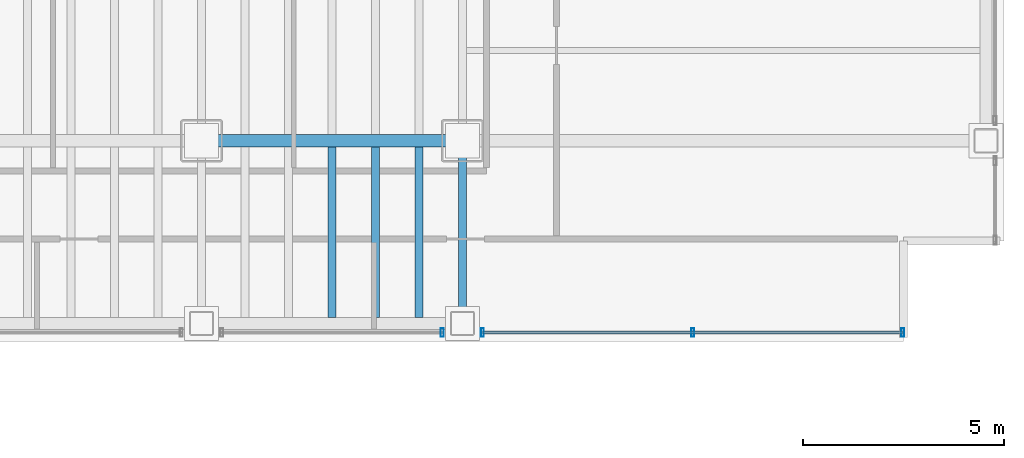
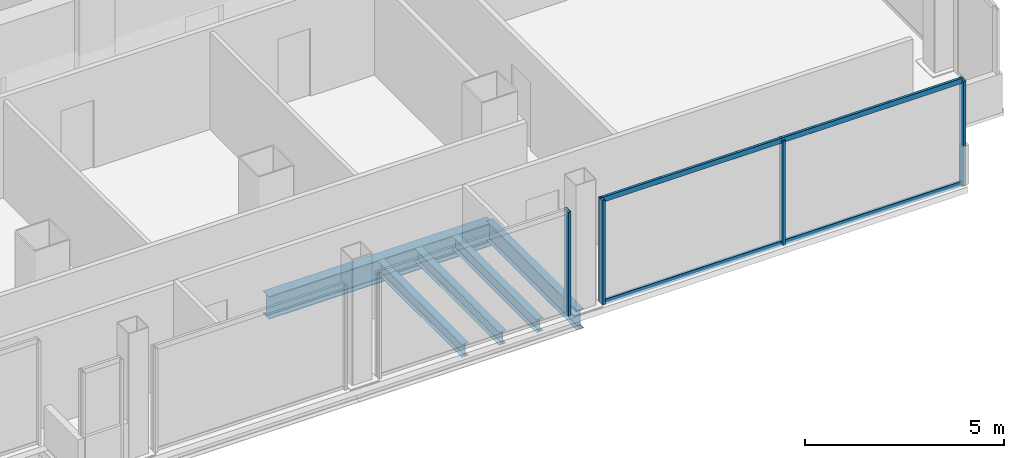
# One storey, part 8 of 20: 6 members, 5 beams, 2 elements without a shape of their own.
"""IFC4 building model written with IfcOpenShell, lengths in metres."""

from ifc_helpers import new_model, si_unit, direction, frame, origin, origin_2d, place, context, subcontext, project, spatial, hollow_rectangle, i_section, extrude, material, material_profile, profile_set, type_object, element, aggregate, save


model = new_model("IFC4")

# Units and contexts
model_context = context("Model", 3, precision=1e-05, world=origin(), true_north=direction((0.0, 1.0)))
body_context = subcontext(model_context, "Body", "Model", "MODEL_VIEW")
ifc_project = project(units=[si_unit("LENGTHUNIT", "METRE"), si_unit("AREAUNIT", "SQUARE_METRE"), si_unit("VOLUMEUNIT", "CUBIC_METRE"), si_unit("PLANEANGLEUNIT", "RADIAN"), si_unit("MASSUNIT", "GRAM", prefix="KILO")], contexts=[model_context])

# Site, building, storey
site_placement = place(None, origin())
site = spatial("IfcSite", under=ifc_project, at=site_placement, CompositionType="ELEMENT")
building_placement = place(site_placement, origin())
building = spatial("IfcBuilding", under=site, at=building_placement, Name="Noeulbin Bourse Tower", CompositionType="ELEMENT")
storey_placement = place(building_placement, frame((0.0, 0.0, 57.699951171875)))
storey = spatial("IfcBuildingStorey", under=building, at=storey_placement, Name="L14", CompositionType="ELEMENT", Elevation=57.699951171875)

# Beams
ifc_material_1 = material(Name="Steel S355", Category="steel")
ifc_material_profile_1 = material_profile(ifc_material_1, i_section(OverallWidth=0.199951171875, OverallDepth=0.60009765625, WebThickness=0.010986328125, FlangeThickness=0.01708984375, FilletRadius=0.02197265625, at=origin_2d()), Name="H-600x200x11x17", Category="LoadBearing")
ifc_profile_set_1 = profile_set([ifc_material_profile_1], Name="Steel S355")
beam_type_1 = type_object("IfcBeamType", Name="BM-GRD-600", PredefinedType="USERDEFINED", material=ifc_profile_set_1)
beam_1_placement = place(storey_placement, frame((44.0, 15.449951171875, -0.47998046875), z_axis=(0.0, 1.0, 0.0), x_axis=(-1.0, 0.0, 0.0)))
element("IfcBeam", 1, at=beam_1_placement, inside=storey, type_object=beam_type_1, Name="Tower Primary Girder NS L14-5.1", ObjectType="GIRDER", PredefinedType="USERDEFINED", context=body_context, shape_type="SweptSolid", body=[
    extrude(i_section(OverallWidth=0.199951171875, OverallDepth=0.60009765625, WebThickness=0.010986328125, FlangeThickness=0.01708984375, FilletRadius=0.02197265625, at=origin_2d()), origin(), (0.0, 0.0, 1.0), 4.550048828125),
])
ifc_material_profile_2 = material_profile(ifc_material_1, i_section(OverallWidth=0.300048828125, OverallDepth=0.699951171875, WebThickness=0.012939453125, FlangeThickness=0.02392578125, FilletRadius=0.02392578125, at=origin_2d()), Name="H-700x300x13x24", Category="LoadBearing")
ifc_profile_set_2 = profile_set([ifc_material_profile_2], Name="Steel S355")
beam_type_2 = type_object("IfcBeamType", Name="BM-GRD-700", PredefinedType="USERDEFINED", material=ifc_profile_set_2)
beam_2_placement = place(storey_placement, frame((37.5, 20.0, -0.530029296875), z_axis=(1.0, 0.0, 0.0), x_axis=(0.0, 1.0, 0.0)))
element("IfcBeam", 2, at=beam_2_placement, inside=storey, type_object=beam_type_2, Name="Tower Primary Girder EW L14-1.5", ObjectType="GIRDER", PredefinedType="USERDEFINED", context=body_context, shape_type="SweptSolid", body=[
    extrude(i_section(OverallWidth=0.300048828125, OverallDepth=0.699951171875, WebThickness=0.012939453125, FlangeThickness=0.02392578125, FilletRadius=0.02392578125, at=origin_2d()), origin(), (0.0, 0.0, 1.0), 6.5),
])
ifc_material_profile_3 = material_profile(ifc_material_1, i_section(OverallWidth=0.199951171875, OverallDepth=0.39990234375, WebThickness=0.008056640625, FlangeThickness=0.012939453125, FilletRadius=0.01611328125, at=origin_2d()), Name="H-400x200x8x13", Category="LoadBearing")
ifc_profile_set_3 = profile_set([ifc_material_profile_3], Name="Steel S355")
beam_type_3 = type_object("IfcBeamType", Name="BM-SEC-400", PredefinedType="BEAM", material=ifc_profile_set_3)
for number, where, z_axis, x_axis, name in (
    (3, (40.75, 15.60009765625, -0.3798828125), (0.0, 1.0, 0.0), (-1.0, 0.0, 0.0), "Tower Composite Joist L14-61"),
    (4, (41.833251953125, 15.60009765625, -0.3798828125), (0.0, 1.0, 0.0), (-1.0, 0.0, 0.0), "Tower Composite Joist L14-64"),
    (5, (42.916748046875, 15.60009765625, -0.3798828125), (0.0, 1.0, 0.0), (-1.0, 0.0, 0.0), "Tower Composite Joist L14-67"),
):
    element("IfcBeam", number, at=place(storey_placement, frame(where, z_axis=z_axis, x_axis=x_axis)), inside=storey, type_object=beam_type_3, Name=name, PredefinedType="BEAM", context=body_context, shape_type="SweptSolid", body=[
        extrude(i_section(OverallWidth=0.199951171875, OverallDepth=0.39990234375, WebThickness=0.008056640625, FlangeThickness=0.012939453125, FilletRadius=0.01611328125, at=origin_2d()), origin(), (0.0, 0.0, 1.0), 4.25),
    ])

# Curtain wall, member
ifc_material_2 = material(Name="Dark Solar-Control Double Glazing", Category="glass")
curtain_wall_type = type_object("IfcCurtainWallType", Name="CW-SYS-2", PredefinedType="NOTDEFINED", material=ifc_material_2)
curtain_wall_1_placement = place(storey_placement, origin())
curtain_wall_1 = element("IfcCurtainWall", 6, at=curtain_wall_1_placement, inside=storey, type_object=curtain_wall_type, Name="Unitised Curtain Wall CW-L14-S3-S3", PredefinedType="NOTDEFINED")
ifc_material_3 = material(Name="Anodised Aluminium 6063-T6", Category="aluminium")
ifc_material_profile_4 = material_profile(ifc_material_3, hollow_rectangle(XDim=0.074951171875, YDim=0.219970703125, WallThickness=0.0048828125, InnerFilletRadius=0.00244140625, OuterFilletRadius=0.0048828125, at=origin_2d()), Name="ALU-MULL-75x220x5", Category="LoadBearing")
ifc_profile_set_4 = profile_set([ifc_material_profile_4], Name="Anodised Aluminium 6063-T6")
member_type_1 = type_object("IfcMemberType", Name="CW-SYS-2-MUL", PredefinedType="MULLION", material=ifc_profile_set_4)
member_1_placement = place(storey_placement, frame((43.5, 15.219970703125, -0.02001953125), z_axis=(0.0, 0.0, 1.0), x_axis=(1.0, 0.0, 0.0)))
member_1 = element("IfcMember", 7, at=member_1_placement, type_object=member_type_1, Name="Curtain Wall Mullion CW-L14-S3-S3-M01", PredefinedType="MULLION", context=body_context, shape_type="SweptSolid", body=[
    extrude(hollow_rectangle(XDim=0.074951171875, YDim=0.219970703125, WallThickness=0.0048828125, InnerFilletRadius=0.00244140625, OuterFilletRadius=0.0048828125, at=origin_2d()), origin(), (0.0, 0.0, 1.0), 3.219970703125),
])
aggregate(curtain_wall_1, [member_1])

# Curtain wall, members
curtain_wall_2_placement = place(storey_placement, origin())
curtain_wall_2 = element("IfcCurtainWall", 8, at=curtain_wall_2_placement, inside=storey, type_object=curtain_wall_type, Name="Unitised Curtain Wall CW-L14-S3-S4", PredefinedType="NOTDEFINED")
member_2_placement = place(storey_placement, frame((44.5, 15.219970703125, -0.02001953125), z_axis=(0.0, 0.0, 1.0), x_axis=(1.0, 0.0, 0.0)))
member_2 = element("IfcMember", 9, at=member_2_placement, type_object=member_type_1, Name="Curtain Wall Mullion CW-L14-S3-S4-M00", PredefinedType="MULLION", context=body_context, shape_type="SweptSolid", body=[
    extrude(hollow_rectangle(XDim=0.074951171875, YDim=0.219970703125, WallThickness=0.0048828125, InnerFilletRadius=0.00244140625, OuterFilletRadius=0.0048828125, at=origin_2d()), origin(), (0.0, 0.0, 1.0), 3.219970703125),
])
member_3_placement = place(storey_placement, frame((49.739990234375, 15.219970703125, -0.02001953125), z_axis=(0.0, 0.0, 1.0), x_axis=(1.0, 0.0, 0.0)))
member_3 = element("IfcMember", 10, at=member_3_placement, type_object=member_type_1, Name="Curtain Wall Mullion CW-L14-S3-S4-M01", PredefinedType="MULLION", context=body_context, shape_type="SweptSolid", body=[
    extrude(hollow_rectangle(XDim=0.074951171875, YDim=0.219970703125, WallThickness=0.0048828125, InnerFilletRadius=0.00244140625, OuterFilletRadius=0.0048828125, at=origin_2d()), origin(), (0.0, 0.0, 1.0), 3.219970703125),
])
member_4_placement = place(storey_placement, frame((54.97998046875, 15.219970703125, -0.02001953125), z_axis=(0.0, 0.0, 1.0), x_axis=(1.0, 0.0, 0.0)))
member_4 = element("IfcMember", 11, at=member_4_placement, type_object=member_type_1, Name="Curtain Wall Mullion CW-L14-S3-S4-M02", PredefinedType="MULLION", context=body_context, shape_type="SweptSolid", body=[
    extrude(hollow_rectangle(XDim=0.074951171875, YDim=0.219970703125, WallThickness=0.0048828125, InnerFilletRadius=0.00244140625, OuterFilletRadius=0.0048828125, at=origin_2d()), origin(), (0.0, 0.0, 1.0), 3.219970703125),
])
ifc_material_profile_5 = material_profile(ifc_material_3, hollow_rectangle(XDim=0.074951171875, YDim=0.159912109375, WallThickness=0.0048828125, InnerFilletRadius=0.00244140625, OuterFilletRadius=0.0048828125, at=origin_2d()), Name="ALU-TRAN-75x160x5", Category="LoadBearing")
ifc_profile_set_5 = profile_set([ifc_material_profile_5], Name="Anodised Aluminium 6063-T6")
member_type_2 = type_object("IfcMemberType", Name="CW-SYS-2-TRN", PredefinedType="USERDEFINED", material=ifc_profile_set_5)
member_5_placement = place(storey_placement, frame((44.510009765625, 15.219970703125, 0.010009765625), z_axis=(1.0, 0.0, 0.0), x_axis=(0.0, 1.0, 0.0)))
member_5 = element("IfcMember", 12, at=member_5_placement, type_object=member_type_2, Name="Curtain Wall Transom CW-L14-S3-S4-T00", ObjectType="TRANSOM", PredefinedType="USERDEFINED", context=body_context, shape_type="SweptSolid", body=[
    extrude(hollow_rectangle(XDim=0.074951171875, YDim=0.159912109375, WallThickness=0.0048828125, InnerFilletRadius=0.00244140625, OuterFilletRadius=0.0048828125, at=origin_2d()), origin(), (0.0, 0.0, 1.0), 10.4599609375),
])
member_6_placement = place(storey_placement, frame((44.510009765625, 15.219970703125, 3.170166015625), z_axis=(1.0, 0.0, 0.0), x_axis=(0.0, 1.0, 0.0)))
member_6 = element("IfcMember", 13, at=member_6_placement, type_object=member_type_2, Name="Curtain Wall Transom CW-L14-S3-S4-T01", ObjectType="TRANSOM", PredefinedType="USERDEFINED", context=body_context, shape_type="SweptSolid", body=[
    extrude(hollow_rectangle(XDim=0.074951171875, YDim=0.159912109375, WallThickness=0.0048828125, InnerFilletRadius=0.00244140625, OuterFilletRadius=0.0048828125, at=origin_2d()), origin(), (0.0, 0.0, 1.0), 10.4599609375),
])
aggregate(curtain_wall_2, [member_2, member_3, member_4, member_5, member_6])

save(model, "model.ifc")
